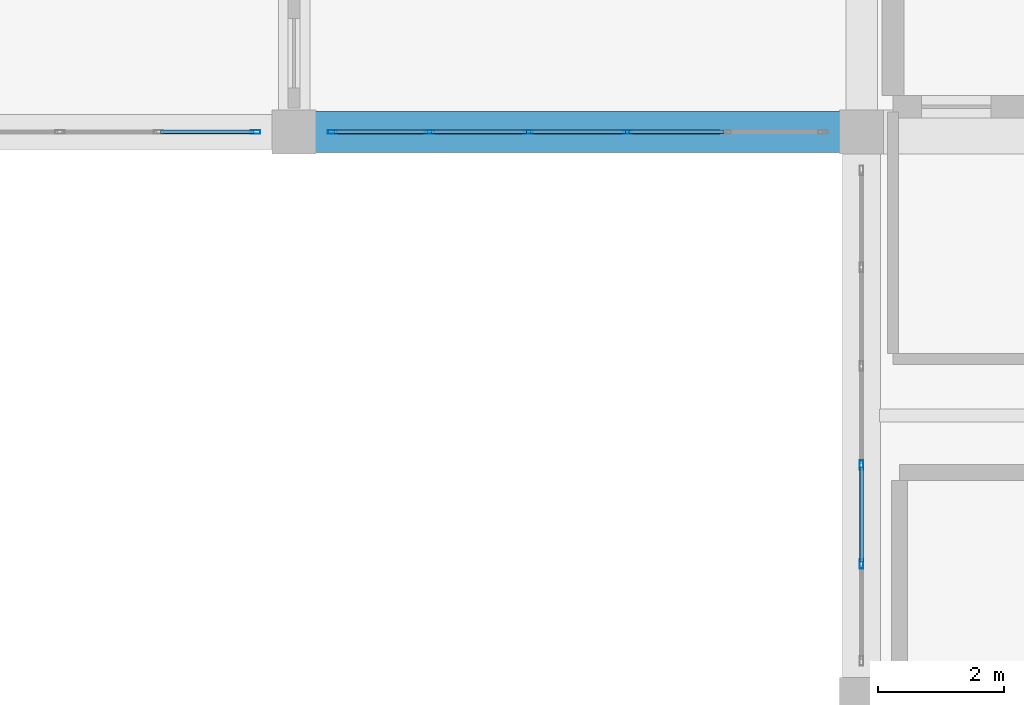
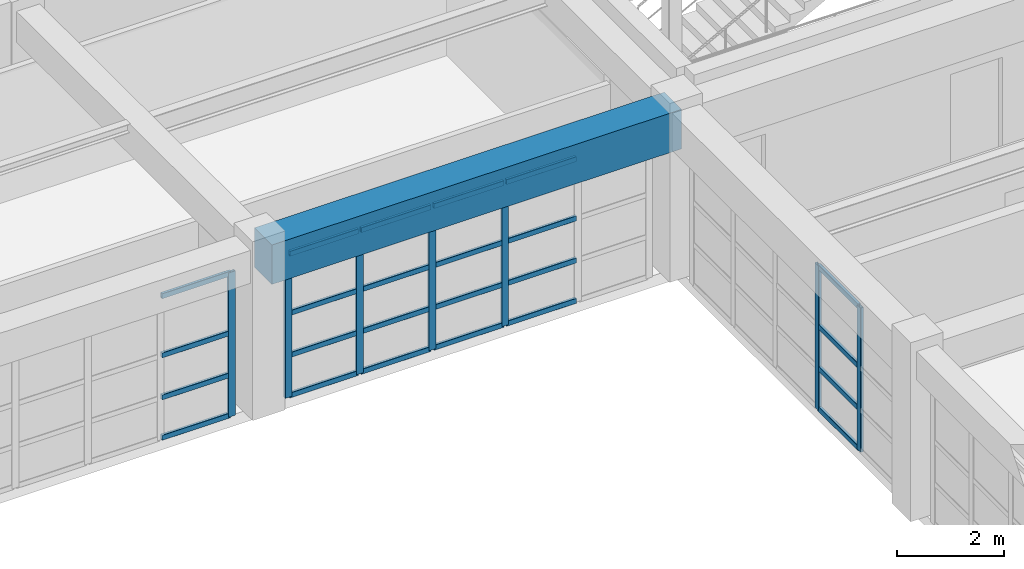
# One storey, part 66 of 130: 31 members, 1 beam, 3 elements without a shape of their own.
"""IFC4 building model written with IfcOpenShell, lengths in metres."""

from ifc_helpers import new_model, si_unit, direction, frame, origin, origin_2d, place, context, subcontext, project, spatial, rectangle, hollow_rectangle, extrude, material, material_profile, profile_set, type_object, element, aggregate, save


model = new_model("IFC4")

# Units and contexts
model_context = context("Model", 3, precision=1e-05, world=origin(), true_north=direction((0.0, 1.0)))
body_context = subcontext(model_context, "Body", "Model", "MODEL_VIEW")
ifc_project = project(units=[si_unit("LENGTHUNIT", "METRE"), si_unit("AREAUNIT", "SQUARE_METRE"), si_unit("VOLUMEUNIT", "CUBIC_METRE"), si_unit("PLANEANGLEUNIT", "RADIAN"), si_unit("MASSUNIT", "GRAM", prefix="KILO")], contexts=[model_context])

# Site, building, storey
site_placement = place(None, origin())
site = spatial("IfcSite", under=ifc_project, at=site_placement, CompositionType="ELEMENT")
building_placement = place(site_placement, origin())
building = spatial("IfcBuilding", under=site, at=building_placement, Name="Miravela Opera House", CompositionType="ELEMENT")
storey_placement = place(building_placement, frame((0.0, 0.0, 9.52001953125)))
storey = spatial("IfcBuildingStorey", under=building, at=storey_placement, Name="L02", CompositionType="ELEMENT", Elevation=9.52001953125)

# Curtain wall, member
ifc_material_1 = material(Name="Anodised architectural bronze aluminium 6063-T6", Category="aluminium")
curtain_wall_type = type_object("IfcCurtainWallType", Name="ARC-CW-05", PredefinedType="NOTDEFINED", material=ifc_material_1)
curtain_wall_1_placement = place(storey_placement, origin())
curtain_wall_1 = element("IfcCurtainWall", 1, at=curtain_wall_1_placement, inside=storey, type_object=curtain_wall_type, Name="Courtyard Arcade Curtain Wall CW-L02-094", PredefinedType="NOTDEFINED")
ifc_material_profile_1 = material_profile(ifc_material_1, hollow_rectangle(XDim=0.06005859375, YDim=0.14990234375, WallThickness=0.00390625, InnerFilletRadius=0.001953125, OuterFilletRadius=0.00390625, at=origin_2d()), Name="CWM-60X150")
ifc_profile_set_1 = profile_set([ifc_material_profile_1])
member_type_1 = type_object("IfcMemberType", Name="ARC-CWM-150", PredefinedType="MULLION", material=ifc_profile_set_1)
member_1_placement = place(storey_placement, frame((53.389892578125, 103.0, 0.0), z_axis=(0.0, 0.0, 1.0), x_axis=(0.0, 1.0, 0.0)))
member_1 = element("IfcMember", 2, at=member_1_placement, type_object=member_type_1, Name="CW-05 mullion 6", PredefinedType="MULLION", context=body_context, shape_type="SweptSolid", body=[
    extrude(hollow_rectangle(XDim=0.06005859375, YDim=0.14990234375, WallThickness=0.00390625, InnerFilletRadius=0.001953125, OuterFilletRadius=0.00390625, at=origin_2d()), origin(), (0.0, 0.0, 1.0), 3.2900390625),
])

# Curtain wall, members
curtain_wall_2_placement = place(storey_placement, origin())
curtain_wall_2 = element("IfcCurtainWall", 3, at=curtain_wall_2_placement, inside=storey, type_object=curtain_wall_type, Name="Courtyard Arcade Curtain Wall CW-L02-096", PredefinedType="NOTDEFINED")
member_2_placement = place(storey_placement, frame((54.610107421875, 103.0, 0.0), z_axis=(0.0, 0.0, 1.0), x_axis=(0.0, 1.0, 0.0)))
member_2 = element("IfcMember", 4, at=member_2_placement, type_object=member_type_1, Name="CW-05 mullion 1", PredefinedType="MULLION", context=body_context, shape_type="SweptSolid", body=[
    extrude(hollow_rectangle(XDim=0.06005859375, YDim=0.14990234375, WallThickness=0.00390625, InnerFilletRadius=0.001953125, OuterFilletRadius=0.00390625, at=origin_2d()), origin(), (0.0, 0.0, 1.0), 3.2900390625),
])
member_3_placement = place(storey_placement, frame((56.14794921875, 103.0, 0.0), z_axis=(0.0, 0.0, 1.0), x_axis=(0.0, 1.0, 0.0)))
member_3 = element("IfcMember", 5, at=member_3_placement, type_object=member_type_1, Name="CW-05 mullion 2", PredefinedType="MULLION", context=body_context, shape_type="SweptSolid", body=[
    extrude(hollow_rectangle(XDim=0.06005859375, YDim=0.14990234375, WallThickness=0.00390625, InnerFilletRadius=0.001953125, OuterFilletRadius=0.00390625, at=origin_2d()), origin(), (0.0, 0.0, 1.0), 3.2900390625),
])
member_4_placement = place(storey_placement, frame((57.716064453125, 103.0, 0.0), z_axis=(0.0, 0.0, 1.0), x_axis=(0.0, 1.0, 0.0)))
member_4 = element("IfcMember", 6, at=member_4_placement, type_object=member_type_1, Name="CW-05 mullion 3", PredefinedType="MULLION", context=body_context, shape_type="SweptSolid", body=[
    extrude(hollow_rectangle(XDim=0.06005859375, YDim=0.14990234375, WallThickness=0.00390625, InnerFilletRadius=0.001953125, OuterFilletRadius=0.00390625, at=origin_2d()), origin(), (0.0, 0.0, 1.0), 3.2900390625),
])
member_5_placement = place(storey_placement, frame((59.283935546875, 103.0, 0.0), z_axis=(0.0, 0.0, 1.0), x_axis=(0.0, 1.0, 0.0)))
member_5 = element("IfcMember", 7, at=member_5_placement, type_object=member_type_1, Name="CW-05 mullion 4", PredefinedType="MULLION", context=body_context, shape_type="SweptSolid", body=[
    extrude(hollow_rectangle(XDim=0.06005859375, YDim=0.14990234375, WallThickness=0.00390625, InnerFilletRadius=0.001953125, OuterFilletRadius=0.00390625, at=origin_2d()), origin(), (0.0, 0.0, 1.0), 3.2900390625),
])

curtain_wall_3_placement = place(storey_placement, origin())
curtain_wall_3 = element("IfcCurtainWall", 8, at=curtain_wall_3_placement, inside=storey, type_object=curtain_wall_type, Name="Courtyard Arcade Curtain Wall CW-L02-100", PredefinedType="NOTDEFINED")
member_6_placement = place(storey_placement, frame((63.0, 96.14794921875, 0.0), z_axis=(0.0, 0.0, 1.0), x_axis=(-1.0, 0.0, 0.0)))
member_6 = element("IfcMember", 9, at=member_6_placement, type_object=member_type_1, Name="CW-05 mullion 2", PredefinedType="MULLION", context=body_context, shape_type="SweptSolid", body=[
    extrude(hollow_rectangle(XDim=0.06005859375, YDim=0.14990234375, WallThickness=0.00390625, InnerFilletRadius=0.001953125, OuterFilletRadius=0.00390625, at=origin_2d()), origin(), (0.0, 0.0, 1.0), 3.2900390625),
])
member_7_placement = place(storey_placement, frame((63.0, 97.716064453125, 0.0), z_axis=(0.0, 0.0, 1.0), x_axis=(-1.0, 0.0, 0.0)))
member_7 = element("IfcMember", 10, at=member_7_placement, type_object=member_type_1, Name="CW-05 mullion 3", PredefinedType="MULLION", context=body_context, shape_type="SweptSolid", body=[
    extrude(hollow_rectangle(XDim=0.06005859375, YDim=0.14990234375, WallThickness=0.00390625, InnerFilletRadius=0.001953125, OuterFilletRadius=0.00390625, at=origin_2d()), origin(), (0.0, 0.0, 1.0), 3.2900390625),
])

# Member
ifc_material_profile_2 = material_profile(ifc_material_1, hollow_rectangle(XDim=0.06005859375, YDim=0.114990234375, WallThickness=0.00390625, InnerFilletRadius=0.001953125, OuterFilletRadius=0.00390625, at=origin_2d()), Name="CWT-60X115")
ifc_profile_set_2 = profile_set([ifc_material_profile_2])
member_type_2 = type_object("IfcMemberType", Name="ARC-CWT-115", PredefinedType="USERDEFINED", material=ifc_profile_set_2)
member_8_placement = place(storey_placement, frame((51.882080078125, 103.0, 0.030029296875), z_axis=(1.0, 0.0, 0.0), x_axis=(0.0, 1.0, 0.0)))
member_8 = element("IfcMember", 11, at=member_8_placement, type_object=member_type_2, Name="CW-05 transom 5.1", ObjectType="TRANSOM", PredefinedType="USERDEFINED", context=body_context, shape_type="SweptSolid", body=[
    extrude(hollow_rectangle(XDim=0.06005859375, YDim=0.114990234375, WallThickness=0.00390625, InnerFilletRadius=0.001953125, OuterFilletRadius=0.00390625, at=origin_2d()), origin(), (0.0, 0.0, 1.0), 1.47802734375),
])

member_9_placement = place(storey_placement, frame((51.882080078125, 103.0, 0.949951171875), z_axis=(1.0, 0.0, 0.0), x_axis=(0.0, 1.0, 0.0)))
member_9 = element("IfcMember", 12, at=member_9_placement, type_object=member_type_2, Name="CW-05 transom 5.2", ObjectType="TRANSOM", PredefinedType="USERDEFINED", context=body_context, shape_type="SweptSolid", body=[
    extrude(hollow_rectangle(XDim=0.06005859375, YDim=0.114990234375, WallThickness=0.00390625, InnerFilletRadius=0.001953125, OuterFilletRadius=0.00390625, at=origin_2d()), origin(), (0.0, 0.0, 1.0), 1.47802734375),
])

member_10_placement = place(storey_placement, frame((51.882080078125, 103.0, 1.908203125), z_axis=(1.0, 0.0, 0.0), x_axis=(0.0, 1.0, 0.0)))
member_10 = element("IfcMember", 13, at=member_10_placement, type_object=member_type_2, Name="CW-05 transom 5.3", ObjectType="TRANSOM", PredefinedType="USERDEFINED", context=body_context, shape_type="SweptSolid", body=[
    extrude(hollow_rectangle(XDim=0.06005859375, YDim=0.114990234375, WallThickness=0.00390625, InnerFilletRadius=0.001953125, OuterFilletRadius=0.00390625, at=origin_2d()), origin(), (0.0, 0.0, 1.0), 1.47802734375),
])

member_11_placement = place(storey_placement, frame((51.882080078125, 103.0, 3.260009765625), z_axis=(1.0, 0.0, 0.0), x_axis=(0.0, 1.0, 0.0)))
member_11 = element("IfcMember", 14, at=member_11_placement, type_object=member_type_2, Name="CW-05 transom 5.4", ObjectType="TRANSOM", PredefinedType="USERDEFINED", context=body_context, shape_type="SweptSolid", body=[
    extrude(hollow_rectangle(XDim=0.06005859375, YDim=0.114990234375, WallThickness=0.00390625, InnerFilletRadius=0.001953125, OuterFilletRadius=0.00390625, at=origin_2d()), origin(), (0.0, 0.0, 1.0), 1.47802734375),
])

aggregate(curtain_wall_1, [member_1, member_8, member_9, member_10, member_11])

member_12_placement = place(storey_placement, frame((54.639892578125, 103.0, 0.030029296875), z_axis=(1.0, 0.0, 0.0), x_axis=(0.0, 1.0, 0.0)))
member_12 = element("IfcMember", 15, at=member_12_placement, type_object=member_type_2, Name="CW-05 transom 1.1", ObjectType="TRANSOM", PredefinedType="USERDEFINED", context=body_context, shape_type="SweptSolid", body=[
    extrude(hollow_rectangle(XDim=0.06005859375, YDim=0.114990234375, WallThickness=0.00390625, InnerFilletRadius=0.001953125, OuterFilletRadius=0.00390625, at=origin_2d()), origin(), (0.0, 0.0, 1.0), 1.47802734375),
])

member_13_placement = place(storey_placement, frame((54.639892578125, 103.0, 0.949951171875), z_axis=(1.0, 0.0, 0.0), x_axis=(0.0, 1.0, 0.0)))
member_13 = element("IfcMember", 16, at=member_13_placement, type_object=member_type_2, Name="CW-05 transom 1.2", ObjectType="TRANSOM", PredefinedType="USERDEFINED", context=body_context, shape_type="SweptSolid", body=[
    extrude(hollow_rectangle(XDim=0.06005859375, YDim=0.114990234375, WallThickness=0.00390625, InnerFilletRadius=0.001953125, OuterFilletRadius=0.00390625, at=origin_2d()), origin(), (0.0, 0.0, 1.0), 1.47802734375),
])

member_14_placement = place(storey_placement, frame((54.639892578125, 103.0, 1.908203125), z_axis=(1.0, 0.0, 0.0), x_axis=(0.0, 1.0, 0.0)))
member_14 = element("IfcMember", 17, at=member_14_placement, type_object=member_type_2, Name="CW-05 transom 1.3", ObjectType="TRANSOM", PredefinedType="USERDEFINED", context=body_context, shape_type="SweptSolid", body=[
    extrude(hollow_rectangle(XDim=0.06005859375, YDim=0.114990234375, WallThickness=0.00390625, InnerFilletRadius=0.001953125, OuterFilletRadius=0.00390625, at=origin_2d()), origin(), (0.0, 0.0, 1.0), 1.47802734375),
])

member_15_placement = place(storey_placement, frame((54.639892578125, 103.0, 3.260009765625), z_axis=(1.0, 0.0, 0.0), x_axis=(0.0, 1.0, 0.0)))
member_15 = element("IfcMember", 18, at=member_15_placement, type_object=member_type_2, Name="CW-05 transom 1.4", ObjectType="TRANSOM", PredefinedType="USERDEFINED", context=body_context, shape_type="SweptSolid", body=[
    extrude(hollow_rectangle(XDim=0.06005859375, YDim=0.114990234375, WallThickness=0.00390625, InnerFilletRadius=0.001953125, OuterFilletRadius=0.00390625, at=origin_2d()), origin(), (0.0, 0.0, 1.0), 1.47802734375),
])

member_16_placement = place(storey_placement, frame((56.177978515625, 103.0, 0.030029296875), z_axis=(1.0, 0.0, 0.0), x_axis=(0.0, 1.0, 0.0)))
member_16 = element("IfcMember", 19, at=member_16_placement, type_object=member_type_2, Name="CW-05 transom 2.1", ObjectType="TRANSOM", PredefinedType="USERDEFINED", context=body_context, shape_type="SweptSolid", body=[
    extrude(hollow_rectangle(XDim=0.06005859375, YDim=0.114990234375, WallThickness=0.00390625, InnerFilletRadius=0.001953125, OuterFilletRadius=0.00390625, at=origin_2d()), origin(), (0.0, 0.0, 1.0), 1.508056640625),
])

member_17_placement = place(storey_placement, frame((56.177978515625, 103.0, 0.949951171875), z_axis=(1.0, 0.0, 0.0), x_axis=(0.0, 1.0, 0.0)))
member_17 = element("IfcMember", 20, at=member_17_placement, type_object=member_type_2, Name="CW-05 transom 2.2", ObjectType="TRANSOM", PredefinedType="USERDEFINED", context=body_context, shape_type="SweptSolid", body=[
    extrude(hollow_rectangle(XDim=0.06005859375, YDim=0.114990234375, WallThickness=0.00390625, InnerFilletRadius=0.001953125, OuterFilletRadius=0.00390625, at=origin_2d()), origin(), (0.0, 0.0, 1.0), 1.508056640625),
])

member_18_placement = place(storey_placement, frame((56.177978515625, 103.0, 1.908203125), z_axis=(1.0, 0.0, 0.0), x_axis=(0.0, 1.0, 0.0)))
member_18 = element("IfcMember", 21, at=member_18_placement, type_object=member_type_2, Name="CW-05 transom 2.3", ObjectType="TRANSOM", PredefinedType="USERDEFINED", context=body_context, shape_type="SweptSolid", body=[
    extrude(hollow_rectangle(XDim=0.06005859375, YDim=0.114990234375, WallThickness=0.00390625, InnerFilletRadius=0.001953125, OuterFilletRadius=0.00390625, at=origin_2d()), origin(), (0.0, 0.0, 1.0), 1.508056640625),
])

member_19_placement = place(storey_placement, frame((56.177978515625, 103.0, 3.260009765625), z_axis=(1.0, 0.0, 0.0), x_axis=(0.0, 1.0, 0.0)))
member_19 = element("IfcMember", 22, at=member_19_placement, type_object=member_type_2, Name="CW-05 transom 2.4", ObjectType="TRANSOM", PredefinedType="USERDEFINED", context=body_context, shape_type="SweptSolid", body=[
    extrude(hollow_rectangle(XDim=0.06005859375, YDim=0.114990234375, WallThickness=0.00390625, InnerFilletRadius=0.001953125, OuterFilletRadius=0.00390625, at=origin_2d()), origin(), (0.0, 0.0, 1.0), 1.508056640625),
])

member_20_placement = place(storey_placement, frame((57.74609375, 103.0, 0.030029296875), z_axis=(1.0, 0.0, 0.0), x_axis=(0.0, 1.0, 0.0)))
member_20 = element("IfcMember", 23, at=member_20_placement, type_object=member_type_2, Name="CW-05 transom 3.1", ObjectType="TRANSOM", PredefinedType="USERDEFINED", context=body_context, shape_type="SweptSolid", body=[
    extrude(hollow_rectangle(XDim=0.06005859375, YDim=0.114990234375, WallThickness=0.00390625, InnerFilletRadius=0.001953125, OuterFilletRadius=0.00390625, at=origin_2d()), origin(), (0.0, 0.0, 1.0), 1.5078125),
])

member_21_placement = place(storey_placement, frame((57.74609375, 103.0, 0.949951171875), z_axis=(1.0, 0.0, 0.0), x_axis=(0.0, 1.0, 0.0)))
member_21 = element("IfcMember", 24, at=member_21_placement, type_object=member_type_2, Name="CW-05 transom 3.2", ObjectType="TRANSOM", PredefinedType="USERDEFINED", context=body_context, shape_type="SweptSolid", body=[
    extrude(hollow_rectangle(XDim=0.06005859375, YDim=0.114990234375, WallThickness=0.00390625, InnerFilletRadius=0.001953125, OuterFilletRadius=0.00390625, at=origin_2d()), origin(), (0.0, 0.0, 1.0), 1.5078125),
])

member_22_placement = place(storey_placement, frame((57.74609375, 103.0, 1.908203125), z_axis=(1.0, 0.0, 0.0), x_axis=(0.0, 1.0, 0.0)))
member_22 = element("IfcMember", 25, at=member_22_placement, type_object=member_type_2, Name="CW-05 transom 3.3", ObjectType="TRANSOM", PredefinedType="USERDEFINED", context=body_context, shape_type="SweptSolid", body=[
    extrude(hollow_rectangle(XDim=0.06005859375, YDim=0.114990234375, WallThickness=0.00390625, InnerFilletRadius=0.001953125, OuterFilletRadius=0.00390625, at=origin_2d()), origin(), (0.0, 0.0, 1.0), 1.5078125),
])

member_23_placement = place(storey_placement, frame((57.74609375, 103.0, 3.260009765625), z_axis=(1.0, 0.0, 0.0), x_axis=(0.0, 1.0, 0.0)))
member_23 = element("IfcMember", 26, at=member_23_placement, type_object=member_type_2, Name="CW-05 transom 3.4", ObjectType="TRANSOM", PredefinedType="USERDEFINED", context=body_context, shape_type="SweptSolid", body=[
    extrude(hollow_rectangle(XDim=0.06005859375, YDim=0.114990234375, WallThickness=0.00390625, InnerFilletRadius=0.001953125, OuterFilletRadius=0.00390625, at=origin_2d()), origin(), (0.0, 0.0, 1.0), 1.5078125),
])

member_24_placement = place(storey_placement, frame((59.31396484375, 103.0, 0.030029296875), z_axis=(1.0, 0.0, 0.0), x_axis=(0.0, 1.0, 0.0)))
member_24 = element("IfcMember", 27, at=member_24_placement, type_object=member_type_2, Name="CW-05 transom 4.1", ObjectType="TRANSOM", PredefinedType="USERDEFINED", context=body_context, shape_type="SweptSolid", body=[
    extrude(hollow_rectangle(XDim=0.06005859375, YDim=0.114990234375, WallThickness=0.00390625, InnerFilletRadius=0.001953125, OuterFilletRadius=0.00390625, at=origin_2d()), origin(), (0.0, 0.0, 1.0), 1.508056640625),
])

member_25_placement = place(storey_placement, frame((59.31396484375, 103.0, 0.949951171875), z_axis=(1.0, 0.0, 0.0), x_axis=(0.0, 1.0, 0.0)))
member_25 = element("IfcMember", 28, at=member_25_placement, type_object=member_type_2, Name="CW-05 transom 4.2", ObjectType="TRANSOM", PredefinedType="USERDEFINED", context=body_context, shape_type="SweptSolid", body=[
    extrude(hollow_rectangle(XDim=0.06005859375, YDim=0.114990234375, WallThickness=0.00390625, InnerFilletRadius=0.001953125, OuterFilletRadius=0.00390625, at=origin_2d()), origin(), (0.0, 0.0, 1.0), 1.508056640625),
])

member_26_placement = place(storey_placement, frame((59.31396484375, 103.0, 1.908203125), z_axis=(1.0, 0.0, 0.0), x_axis=(0.0, 1.0, 0.0)))
member_26 = element("IfcMember", 29, at=member_26_placement, type_object=member_type_2, Name="CW-05 transom 4.3", ObjectType="TRANSOM", PredefinedType="USERDEFINED", context=body_context, shape_type="SweptSolid", body=[
    extrude(hollow_rectangle(XDim=0.06005859375, YDim=0.114990234375, WallThickness=0.00390625, InnerFilletRadius=0.001953125, OuterFilletRadius=0.00390625, at=origin_2d()), origin(), (0.0, 0.0, 1.0), 1.508056640625),
])

member_27_placement = place(storey_placement, frame((59.31396484375, 103.0, 3.260009765625), z_axis=(1.0, 0.0, 0.0), x_axis=(0.0, 1.0, 0.0)))
member_27 = element("IfcMember", 30, at=member_27_placement, type_object=member_type_2, Name="CW-05 transom 4.4", ObjectType="TRANSOM", PredefinedType="USERDEFINED", context=body_context, shape_type="SweptSolid", body=[
    extrude(hollow_rectangle(XDim=0.06005859375, YDim=0.114990234375, WallThickness=0.00390625, InnerFilletRadius=0.001953125, OuterFilletRadius=0.00390625, at=origin_2d()), origin(), (0.0, 0.0, 1.0), 1.508056640625),
])

aggregate(curtain_wall_2, [member_2, member_3, member_4, member_5, member_12, member_13, member_14, member_15, member_16, member_17, member_18, member_19, member_20, member_21, member_22, member_23, member_24, member_25, member_26, member_27])

member_28_placement = place(storey_placement, frame((63.0, 96.177978515625, 0.030029296875), z_axis=(0.0, 1.0, 0.0), x_axis=(-1.0, 0.0, 0.0)))
member_28 = element("IfcMember", 31, at=member_28_placement, type_object=member_type_2, Name="CW-05 transom 2.1", ObjectType="TRANSOM", PredefinedType="USERDEFINED", context=body_context, shape_type="SweptSolid", body=[
    extrude(hollow_rectangle(XDim=0.06005859375, YDim=0.114990234375, WallThickness=0.00390625, InnerFilletRadius=0.001953125, OuterFilletRadius=0.00390625, at=origin_2d()), origin(), (0.0, 0.0, 1.0), 1.508056640625),
])

member_29_placement = place(storey_placement, frame((63.0, 96.177978515625, 0.949951171875), z_axis=(0.0, 1.0, 0.0), x_axis=(-1.0, 0.0, 0.0)))
member_29 = element("IfcMember", 32, at=member_29_placement, type_object=member_type_2, Name="CW-05 transom 2.2", ObjectType="TRANSOM", PredefinedType="USERDEFINED", context=body_context, shape_type="SweptSolid", body=[
    extrude(hollow_rectangle(XDim=0.06005859375, YDim=0.114990234375, WallThickness=0.00390625, InnerFilletRadius=0.001953125, OuterFilletRadius=0.00390625, at=origin_2d()), origin(), (0.0, 0.0, 1.0), 1.508056640625),
])

member_30_placement = place(storey_placement, frame((63.0, 96.177978515625, 1.908203125), z_axis=(0.0, 1.0, 0.0), x_axis=(-1.0, 0.0, 0.0)))
member_30 = element("IfcMember", 33, at=member_30_placement, type_object=member_type_2, Name="CW-05 transom 2.3", ObjectType="TRANSOM", PredefinedType="USERDEFINED", context=body_context, shape_type="SweptSolid", body=[
    extrude(hollow_rectangle(XDim=0.06005859375, YDim=0.114990234375, WallThickness=0.00390625, InnerFilletRadius=0.001953125, OuterFilletRadius=0.00390625, at=origin_2d()), origin(), (0.0, 0.0, 1.0), 1.508056640625),
])

member_31_placement = place(storey_placement, frame((63.0, 96.177978515625, 3.260009765625), z_axis=(0.0, 1.0, 0.0), x_axis=(-1.0, 0.0, 0.0)))
member_31 = element("IfcMember", 34, at=member_31_placement, type_object=member_type_2, Name="CW-05 transom 2.4", ObjectType="TRANSOM", PredefinedType="USERDEFINED", context=body_context, shape_type="SweptSolid", body=[
    extrude(hollow_rectangle(XDim=0.06005859375, YDim=0.114990234375, WallThickness=0.00390625, InnerFilletRadius=0.001953125, OuterFilletRadius=0.00390625, at=origin_2d()), origin(), (0.0, 0.0, 1.0), 1.508056640625),
])

aggregate(curtain_wall_3, [member_6, member_7, member_28, member_29, member_30, member_31])

# Beam
ifc_material_2 = material(Name="Concrete C40/50", Category="concrete")
ifc_material_profile_3 = material_profile(ifc_material_2, rectangle(XDim=0.64990234375, YDim=0.89990234375, at=origin_2d()), Name="RC-BM-650X900")
ifc_profile_set_3 = profile_set([ifc_material_profile_3])
beam_type = type_object("IfcBeamType", Name="STR-BM-RC650X900", PredefinedType="BEAM", material=ifc_profile_set_3)
beam_placement = place(storey_placement, frame((54.080078125, 103.0, 3.389892578125), z_axis=(1.0, 0.0, 0.0), x_axis=(0.0, 1.0, 0.0)))
element("IfcBeam", 35, at=beam_placement, inside=storey, type_object=beam_type, Name="Floor Girder L02 7-8/L", PredefinedType="BEAM", context=body_context, shape_type="SweptSolid", body=[
    extrude(rectangle(XDim=0.64990234375, YDim=0.89990234375, at=origin_2d()), origin(), (0.0, 0.0, 1.0), 8.83984375),
])

save(model, "model.ifc")
